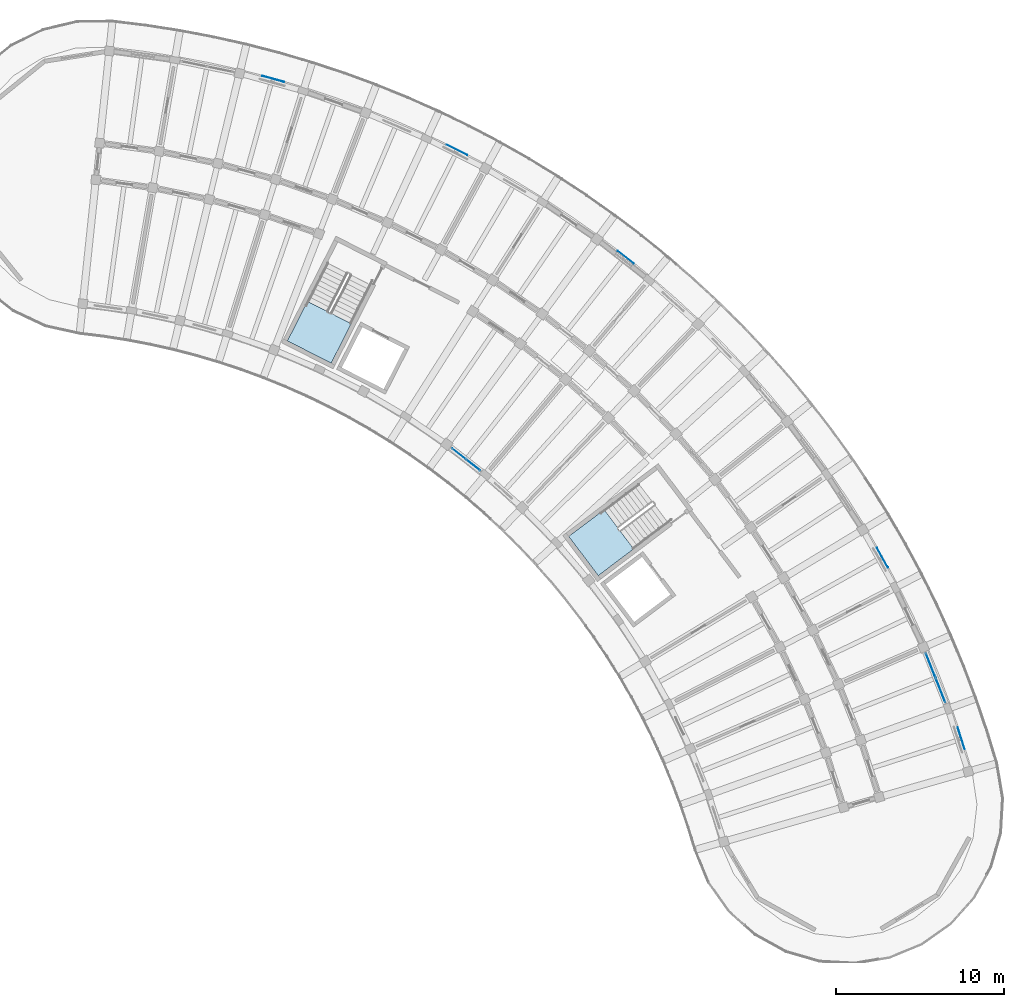
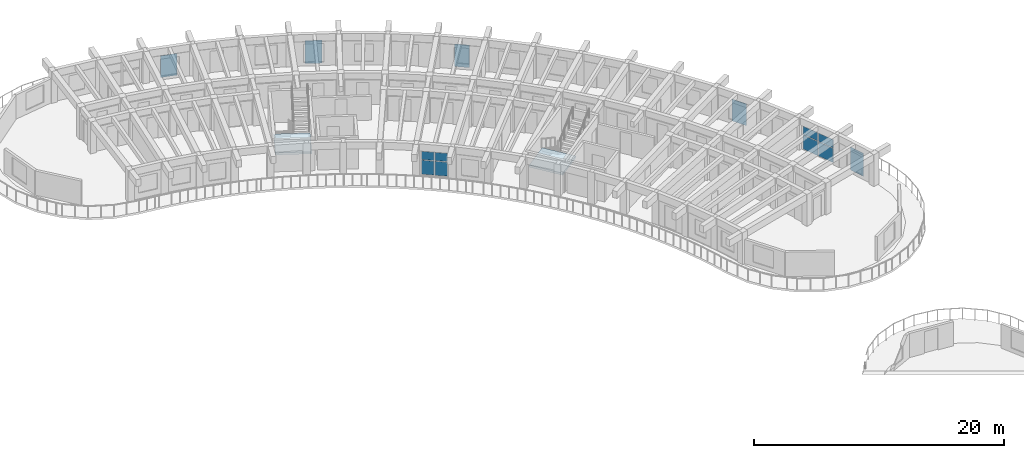
# One storey, part 39 of 81: 13 plates, 2 slabs, 4 elements without a shape of their own.
"""IFC4 building model written with IfcOpenShell, lengths in metres."""

from ifc_helpers import new_model, si_unit, direction, frame, origin, origin_2d, place, context, subcontext, project, spatial, polyline, rectangle, outline, extrude, material, layer, layer_set, type_object, element, aggregate, save


model = new_model("IFC4")

# Units and contexts
model_context = context("Model", 3, precision=1e-05, world=origin(), true_north=direction((0.0, 1.0)))
body_context = subcontext(model_context, "Body", "Model", "MODEL_VIEW")
ifc_project = project(units=[si_unit("LENGTHUNIT", "METRE"), si_unit("AREAUNIT", "SQUARE_METRE"), si_unit("VOLUMEUNIT", "CUBIC_METRE"), si_unit("PLANEANGLEUNIT", "RADIAN"), si_unit("MASSUNIT", "GRAM", prefix="KILO")], contexts=[model_context])

# Site, building, storey
site_placement = place(None, origin())
site = spatial("IfcSite", under=ifc_project, at=site_placement, CompositionType="ELEMENT")
building_placement = place(site_placement, origin())
building = spatial("IfcBuilding", under=site, at=building_placement, Name="Tanwirah Colonnade Gardens", CompositionType="ELEMENT")
storey_placement = place(building_placement, frame((0.0, 0.0, 18.919921875)))
storey = spatial("IfcBuildingStorey", under=building, at=storey_placement, Name="L05", CompositionType="ELEMENT", Elevation=18.919921875)

# Curtain wall, plates
ifc_material_1 = material(Name="Bronze-anodised aluminium and solar-control low-E glass", Category="aluminium")
curtain_wall_type_1 = type_object("IfcCurtainWallType", Name="CW-LOB", PredefinedType="NOTDEFINED", material=ifc_material_1)
curtain_wall_1_placement = place(storey_placement, origin())
curtain_wall_1 = element("IfcCurtainWall", 1, at=curtain_wall_1_placement, inside=storey, type_object=curtain_wall_type_1, Name="Curtain Wall CW-B-L05-OUT-01", PredefinedType="NOTDEFINED")
ifc_material_2 = material(Name="Solar-control low-E double glazing", Category="glass")
ifc_layer_1 = layer(ifc_material_2, 0.028076171875)
ifc_layer_set_1 = layer_set([ifc_layer_1], Name="Solar-control low-E double glazing")
plate_type_1 = type_object("IfcPlateType", Name="CWP-GLZ28", PredefinedType="CURTAIN_PANEL", material=ifc_layer_set_1)
plate_1_placement = place(storey_placement, frame((176.60302734375, 81.443359375, 0.06005859375), z_axis=(0.0, 0.0, 1.0), x_axis=(-0.369206031847, 0.929347570099, 0.0)))
plate_1 = element("IfcPlate", 2, at=plate_1_placement, type_object=plate_type_1, Name="CW-LOB panel 1.1", PredefinedType="CURTAIN_PANEL", context=body_context, shape_type="SweptSolid", body=[
    extrude(rectangle(XDim=1.512939453125, YDim=0.028076171875, at=origin_2d()), origin(), (0.0, 0.0, 1.0), 1.3701171875),
])
plate_2_placement = place(storey_placement, frame((176.60302734375, 81.443359375, 1.490234375), z_axis=(0.0, 0.0, 1.0), x_axis=(-0.369206031847, 0.929347570099, 0.0)))
plate_2 = element("IfcPlate", 3, at=plate_2_placement, type_object=plate_type_1, Name="CW-LOB panel 1.2", PredefinedType="CURTAIN_PANEL", context=body_context, shape_type="SweptSolid", body=[
    extrude(rectangle(XDim=1.512939453125, YDim=0.028076171875, at=origin_2d()), origin(), (0.0, 0.0, 1.0), 0.804931640625),
])
plate_3_placement = place(storey_placement, frame((176.022216796875, 82.905029296875, 0.06005859375), z_axis=(0.0, 0.0, 1.0), x_axis=(-0.369206031847, 0.929347570099, 0.0)))
plate_3 = element("IfcPlate", 4, at=plate_3_placement, type_object=plate_type_1, Name="CW-LOB panel 2.1", PredefinedType="CURTAIN_PANEL", context=body_context, shape_type="SweptSolid", body=[
    extrude(rectangle(XDim=1.512939453125, YDim=0.028076171875, at=origin_2d()), origin(), (0.0, 0.0, 1.0), 1.3701171875),
])
plate_4_placement = place(storey_placement, frame((176.022216796875, 82.905029296875, 1.490234375), z_axis=(0.0, 0.0, 1.0), x_axis=(-0.369206031847, 0.929347570099, 0.0)))
plate_4 = element("IfcPlate", 5, at=plate_4_placement, type_object=plate_type_1, Name="CW-LOB panel 2.2", PredefinedType="CURTAIN_PANEL", context=body_context, shape_type="SweptSolid", body=[
    extrude(rectangle(XDim=1.512939453125, YDim=0.028076171875, at=origin_2d()), origin(), (0.0, 0.0, 1.0), 0.804931640625),
])
aggregate(curtain_wall_1, [plate_1, plate_2, plate_3, plate_4])

curtain_wall_type_2 = type_object("IfcCurtainWallType", Name="CW-GDN", PredefinedType="NOTDEFINED", material=ifc_material_1)
curtain_wall_2_placement = place(storey_placement, origin())
curtain_wall_2 = element("IfcCurtainWall", 6, at=curtain_wall_2_placement, inside=storey, type_object=curtain_wall_type_2, Name="Curtain Wall CW-B-L05-IN-09", PredefinedType="NOTDEFINED")
plate_5_placement = place(storey_placement, frame((148.842041015625, 94.8232421875, 0.06005859375), z_axis=(0.0, 0.0, 1.0), x_axis=(-0.786815291166, 0.617188542982, 0.0)))
plate_5 = element("IfcPlate", 7, at=plate_5_placement, type_object=plate_type_1, Name="CW-GDN panel 1.1", PredefinedType="CURTAIN_PANEL", context=body_context, shape_type="SweptSolid", body=[
    extrude(rectangle(XDim=1.01513671875, YDim=0.028076171875, at=origin_2d()), origin(), (0.0, 0.0, 1.0), 1.3701171875),
])
plate_6_placement = place(storey_placement, frame((148.842041015625, 94.8232421875, 1.490234375), z_axis=(0.0, 0.0, 1.0), x_axis=(-0.786815291166, 0.617188542982, 0.0)))
plate_6 = element("IfcPlate", 8, at=plate_6_placement, type_object=plate_type_1, Name="CW-GDN panel 1.2", PredefinedType="CURTAIN_PANEL", context=body_context, shape_type="SweptSolid", body=[
    extrude(rectangle(XDim=1.01513671875, YDim=0.028076171875, at=origin_2d()), origin(), (0.0, 0.0, 1.0), 0.804931640625),
])
plate_7_placement = place(storey_placement, frame((147.99609375, 95.48681640625, 0.06005859375), z_axis=(0.0, 0.0, 1.0), x_axis=(-0.786815291166, 0.617188542982, 0.0)))
plate_7 = element("IfcPlate", 9, at=plate_7_placement, type_object=plate_type_1, Name="CW-GDN panel 2.1", PredefinedType="CURTAIN_PANEL", context=body_context, shape_type="SweptSolid", body=[
    extrude(rectangle(XDim=1.01513671875, YDim=0.028076171875, at=origin_2d()), origin(), (0.0, 0.0, 1.0), 1.3701171875),
])
plate_8_placement = place(storey_placement, frame((147.99609375, 95.48681640625, 1.490234375), z_axis=(0.0, 0.0, 1.0), x_axis=(-0.786815291166, 0.617188542982, 0.0)))
plate_8 = element("IfcPlate", 10, at=plate_8_placement, type_object=plate_type_1, Name="CW-GDN panel 2.2", PredefinedType="CURTAIN_PANEL", context=body_context, shape_type="SweptSolid", body=[
    extrude(rectangle(XDim=1.01513671875, YDim=0.028076171875, at=origin_2d()), origin(), (0.0, 0.0, 1.0), 0.804931640625),
])
aggregate(curtain_wall_2, [plate_5, plate_6, plate_7, plate_8])

# Plates
ifc_material_3 = material(Name="Laser-cut bronze aluminium solar screen plate", Category="aluminium")
ifc_layer_2 = layer(ifc_material_3, 0.02001953125)
ifc_layer_set_2 = layer_set([ifc_layer_2], Name="Laser-cut bronze aluminium solar screen plate")
plate_type_2 = type_object("IfcPlateType", Name="PLT-SCR20", PredefinedType="SHEET", material=ifc_layer_set_2)
plate_9_placement = place(storey_placement, frame((177.831787109375, 78.588623046875, 0.0), z_axis=(0.0, 0.0, 1.0), x_axis=(-0.307171739363, 0.951654098156, 0.0)))
element("IfcPlate", 11, at=plate_9_placement, inside=storey, type_object=plate_type_2, Name="Perforated solar screen plate B-L05-00", PredefinedType="SHEET", context=body_context, shape_type="SweptSolid", body=[
    extrude(rectangle(XDim=1.35009765625, YDim=0.02001953125, at=origin_2d()), origin(), (0.0, 0.0, 1.0), 2.25),
])
plate_10_placement = place(storey_placement, frame((173.1513671875, 89.32421875, 0.000244140625), z_axis=(0.0, 0.0, 1.0), x_axis=(-0.488198368322, 0.872732692849, 0.0)))
element("IfcPlate", 12, at=plate_10_placement, inside=storey, type_object=plate_type_2, Name="Perforated solar screen plate B-L05-03", PredefinedType="SHEET", context=body_context, shape_type="SweptSolid", body=[
    extrude(rectangle(XDim=1.35009765625, YDim=0.02001953125, at=origin_2d()), origin(), (0.0, 0.0, 1.0), 2.1298828125),
])
plate_11_placement = place(storey_placement, frame((157.899658203125, 107.17236328125, 0.0), z_axis=(0.0, 0.0, 1.0), x_axis=(-0.786816013383, 0.617187622271, 0.0)))
element("IfcPlate", 13, at=plate_11_placement, inside=storey, type_object=plate_type_2, Name="Perforated solar screen plate B-L05-09", PredefinedType="SHEET", context=body_context, shape_type="SweptSolid", body=[
    extrude(rectangle(XDim=1.199951171875, YDim=0.02001953125, at=origin_2d()), origin(), (0.0, 0.0, 1.0), 2.199951171875),
])
plate_12_placement = place(storey_placement, frame((147.87353515625, 113.546142578125, 0.0), z_axis=(0.0, 0.0, 1.0), x_axis=(-0.892759988233, 0.450532577524, 0.0)))
element("IfcPlate", 14, at=plate_12_placement, inside=storey, type_object=plate_type_2, Name="Perforated solar screen plate B-L05-12", PredefinedType="SHEET", context=body_context, shape_type="SweptSolid", body=[
    extrude(rectangle(XDim=1.35009765625, YDim=0.02001953125, at=origin_2d()), origin(), (0.0, 0.0, 1.0), 2.25),
])
plate_13_placement = place(storey_placement, frame((136.947998046875, 117.764404296875, 0.000244140625), z_axis=(0.0, 0.0, 1.0), x_axis=(-0.963888748144, 0.266305240659, 0.0)))
element("IfcPlate", 15, at=plate_13_placement, inside=storey, type_object=plate_type_2, Name="Perforated solar screen plate B-L05-15", PredefinedType="SHEET", context=body_context, shape_type="SweptSolid", body=[
    extrude(rectangle(XDim=1.35009765625, YDim=0.02001953125, at=origin_2d()), origin(), (0.0, 0.0, 1.0), 2.1298828125),
])

# Stair, slab
ifc_material_4 = material(Name="Precast concrete C40/50", Category="concrete")
stair_type = type_object("IfcStairType", Name="ST-RES168", PredefinedType="HALF_TURN_STAIR", material=ifc_material_4)
stair_1_placement = place(storey_placement, origin())
stair_1 = element("IfcStair", 16, at=stair_1_placement, inside=storey, type_object=stair_type, Name="L05 Block B Core 1 Exit Stair", PredefinedType="HALF_TURN_STAIR")
ifc_layer_3 = layer(ifc_material_4, 0.205078125)
ifc_layer_set_3 = layer_set([ifc_layer_3], Name="Precast concrete C40/50")
slab_type = type_object("IfcSlabType", Name="SL-LND-205", PredefinedType="LANDING", material=ifc_layer_set_3)
slab_1_placement = place(storey_placement, frame((0.0, 0.0, 1.47509765625)))
slab_1 = element("IfcSlab", 17, at=slab_1_placement, type_object=slab_type, Name="ST-B1 landing 1", PredefinedType="LANDING", context=body_context, shape_type="SweptSolid", body=[
    extrude(outline(polyline([(156.615478515625, 92.171875), (154.510986328125, 90.586181640625), (156.268310546875, 88.254150390625), (158.372802734375, 89.83984375), (156.615478515625, 92.171875)])), origin(), (0.0, 0.0, 1.0), 0.205078125),
])
aggregate(stair_1, [slab_1])

stair_2_placement = place(storey_placement, origin())
stair_2 = element("IfcStair", 18, at=stair_2_placement, inside=storey, type_object=stair_type, Name="L05 Block B Core 2 Exit Stair", PredefinedType="HALF_TURN_STAIR")
slab_2_placement = place(storey_placement, frame((0.0, 0.0, 1.47509765625)))
slab_2 = element("IfcSlab", 19, at=slab_2_placement, type_object=slab_type, Name="ST-B2 landing 1", PredefinedType="LANDING", context=body_context, shape_type="SweptSolid", body=[
    extrude(outline(polyline([(138.995361328125, 104.549072265625), (137.799072265625, 102.201171875), (140.40087890625, 100.87548828125), (141.59716796875, 103.223388671875), (138.995361328125, 104.549072265625)])), origin(), (0.0, 0.0, 1.0), 0.205078125),
])
aggregate(stair_2, [slab_2])

save(model, "model.ifc")
